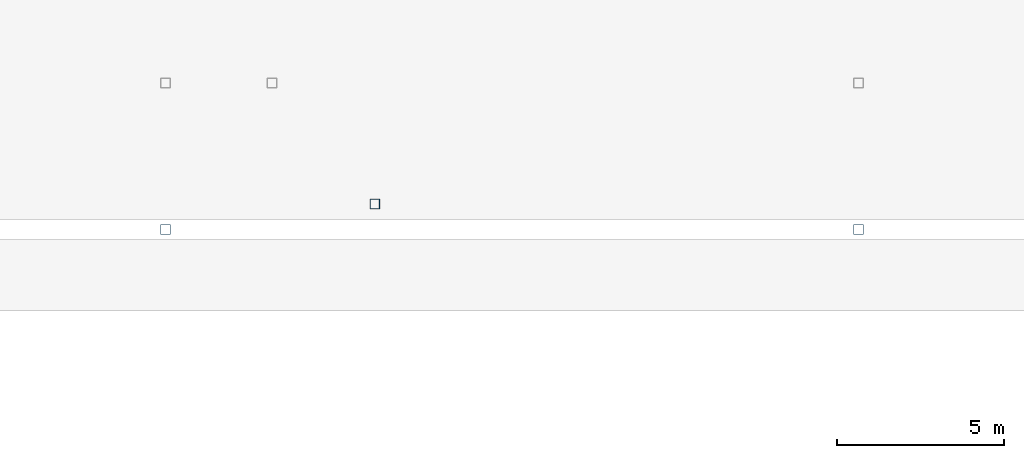
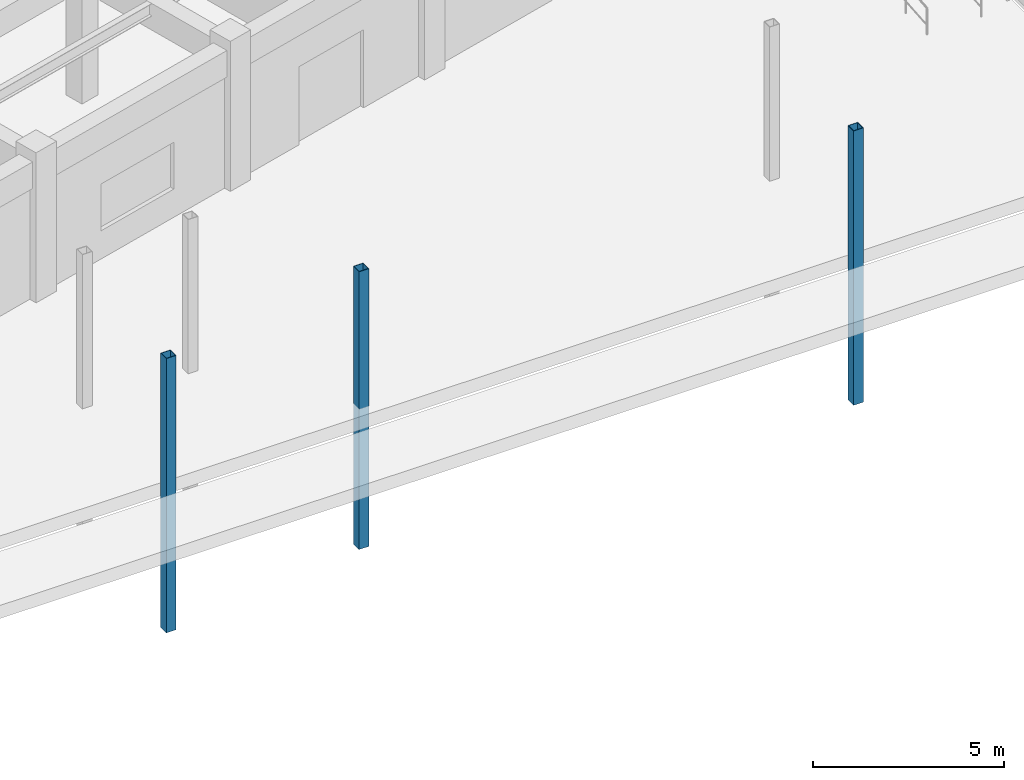
# One storey, part 13 of 47: 3 members.
"""IFC4 building model written with IfcOpenShell, lengths in metres."""

from ifc_helpers import new_model, si_unit, direction, frame, origin, origin_2d, place, context, subcontext, project, spatial, hollow_rectangle, extrude, material, material_profile, profile_set, type_object, element, save


model = new_model("IFC4")

# Units and contexts
model_context = context("Model", 3, precision=1e-05, world=origin(), true_north=direction((0.0, 1.0)))
body_context = subcontext(model_context, "Body", "Model", "MODEL_VIEW")
ifc_project = project(units=[si_unit("LENGTHUNIT", "METRE"), si_unit("AREAUNIT", "SQUARE_METRE"), si_unit("VOLUMEUNIT", "CUBIC_METRE"), si_unit("PLANEANGLEUNIT", "RADIAN"), si_unit("MASSUNIT", "GRAM", prefix="KILO")], contexts=[model_context])

# Site, building, storey
site_placement = place(None, origin())
site = spatial("IfcSite", under=ifc_project, at=site_placement, CompositionType="ELEMENT")
building_placement = place(site_placement, origin())
building = spatial("IfcBuilding", under=site, at=building_placement, Name="Ventoquebrada Cableway Terminal", CompositionType="ELEMENT")
storey_placement = place(building_placement, origin())
storey = spatial("IfcBuildingStorey", under=building, at=storey_placement, Name="L00", CompositionType="ELEMENT", Elevation=0.0)

# Members
ifc_material = material(Name="Steel ASTM A500 Grade C", Category="steel")
ifc_material_profile = material_profile(ifc_material, hollow_rectangle(XDim=0.300048828125, YDim=0.300048828125, WallThickness=0.01611328125, at=origin_2d()), Name="HSS300X300X16")
ifc_profile_set = profile_set([ifc_material_profile], Name="Steel ASTM A500 Grade C")
member_type = type_object("IfcMemberType", Name="PST-GS01", PredefinedType="STRUT", material=ifc_profile_set)
member_1_placement = place(storey_placement, frame((64.39990234375, 64.0, -4.5), z_axis=(0.0, 0.0, 1.0), x_axis=(1.0, 0.0, 0.0)))
element("IfcMember", 1, at=member_1_placement, inside=storey, type_object=member_type, Name="Plaza canopy support post CN-PS-0554", PredefinedType="STRUT", context=body_context, shape_type="SweptSolid", body=[
    extrude(hollow_rectangle(XDim=0.300048828125, YDim=0.300048828125, WallThickness=0.01611328125, at=origin_2d()), origin(), (0.0, 0.0, 1.0), 8.77490234375),
])
member_2_placement = place(storey_placement, frame((70.679931640625, 64.77001953125, -4.5), z_axis=(0.0, 0.0, 1.0), x_axis=(1.0, 0.0, 0.0)))
element("IfcMember", 2, at=member_2_placement, inside=storey, type_object=member_type, Name="Plaza canopy support post CN-PS-0557", PredefinedType="STRUT", context=body_context, shape_type="SweptSolid", body=[
    extrude(hollow_rectangle(XDim=0.300048828125, YDim=0.300048828125, WallThickness=0.01611328125, at=origin_2d()), origin(), (0.0, 0.0, 1.0), 8.889892578125),
])
member_3_placement = place(storey_placement, frame((85.199951171875, 64.0, -4.5), z_axis=(0.0, 0.0, 1.0), x_axis=(1.0, 0.0, 0.0)))
element("IfcMember", 3, at=member_3_placement, inside=storey, type_object=member_type, Name="Plaza canopy support post CN-PS-0558", PredefinedType="STRUT", context=body_context, shape_type="SweptSolid", body=[
    extrude(hollow_rectangle(XDim=0.300048828125, YDim=0.300048828125, WallThickness=0.01611328125, at=origin_2d()), origin(), (0.0, 0.0, 1.0), 8.77490234375),
])

save(model, "model.ifc")
